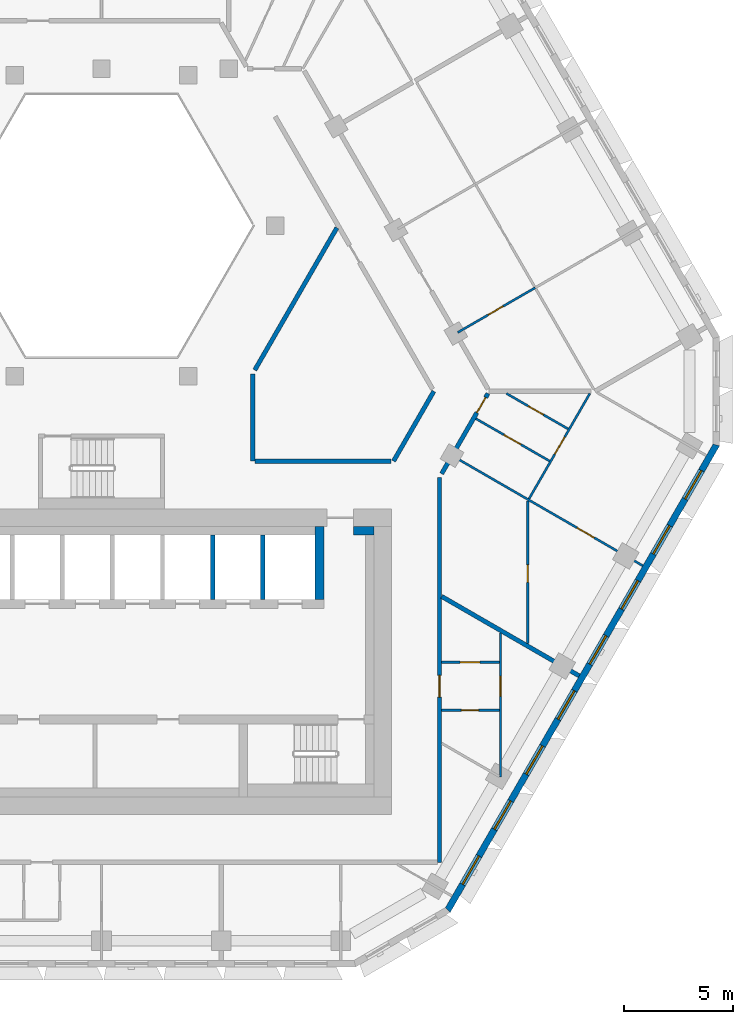
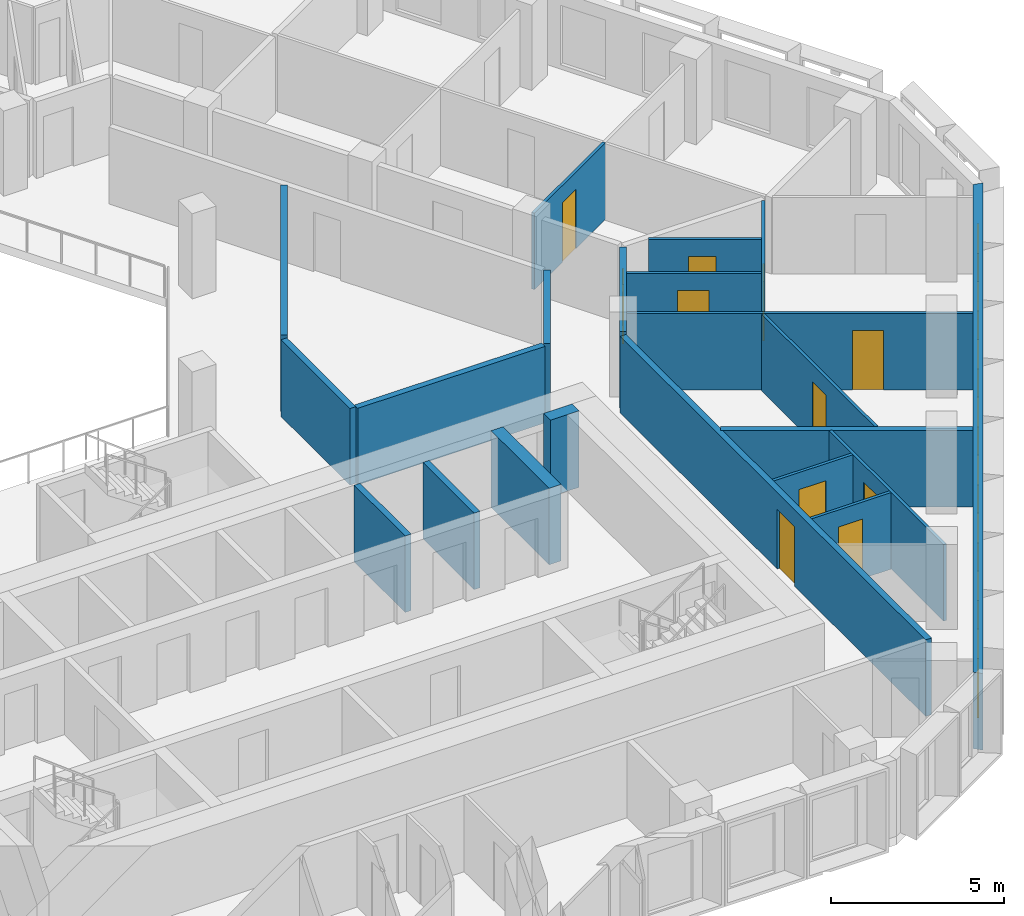
# One storey, part 6 of 17: 21 walls, 11 doors, 8 windows, 19 openings.
"""IFC4 building model written with IfcOpenShell, lengths in metres."""

from ifc_helpers import new_model, si_unit, direction, frame, frame_2d, origin, place, context, subcontext, project, spatial, polyline, rectangle, outline, extrude, material, layer, layer_set, type_object, element, fill, save


model = new_model("IFC4")

# Units and contexts
model_context = context("Model", 3, precision=1e-05, world=origin(), true_north=direction((0.0, 1.0)))
body_context = subcontext(model_context, "Body", "Model", "MODEL_VIEW")
ifc_project = project(units=[si_unit("LENGTHUNIT", "METRE"), si_unit("AREAUNIT", "SQUARE_METRE"), si_unit("VOLUMEUNIT", "CUBIC_METRE"), si_unit("PLANEANGLEUNIT", "RADIAN"), si_unit("MASSUNIT", "GRAM", prefix="KILO")], contexts=[model_context])

# Site, building, storey
site_placement = place(None, origin())
site = spatial("IfcSite", under=ifc_project, at=site_placement, CompositionType="ELEMENT")
building_placement = place(site_placement, origin())
building = spatial("IfcBuilding", under=site, at=building_placement, Name="Beryl Residences", CompositionType="ELEMENT")
storey_placement = place(building_placement, frame((0.0, 0.0, 120.60009765625)))
storey = spatial("IfcBuildingStorey", under=building, at=storey_placement, Name="L36", CompositionType="ELEMENT", Elevation=120.60009765625)

# Wall, openings, windows
ifc_material_1 = material(Name="Composite metal panel with mineral wool insulation")
ifc_layer_1 = layer(ifc_material_1, 0.300048828125)
ifc_layer_set_1 = layer_set([ifc_layer_1], Name="ES1 pale metal composite panel wall 300 mm")
wall_type_1 = type_object("IfcWallType", Name="ES1 pale metal composite panel wall 300 mm", PredefinedType="SOLIDWALL", material=ifc_layer_set_1)
wall_1_placement = place(storey_placement, frame((15.862060546875, -23.425048828125, 0.0), z_axis=(0.0, 0.0, 1.0), x_axis=(0.500017503135, 0.866015298109, 0.0)))
wall_1 = element("IfcWall", 1, at=wall_1_placement, inside=storey, type_object=wall_type_1, Name="ES1 external wall L36 SE", PredefinedType="SOLIDWALL", context=body_context, shape_type="SweptSolid", body=[
    extrude(outline(polyline([(0.0, -0.14990234375), (24.7109375, -0.14990234375), (24.630615234375, 0.14990234375), (0.080322265625, 0.14990234375), (0.0, -0.14990234375)])), origin(), (0.0, 0.0, 1.0), 2.699951171875),
])
opening_1_placement = place(wall_1_placement, frame((1.39990234375, 0.0, 0.14990234375)))
opening_1 = element("IfcOpeningElement", 2, at=opening_1_placement, cuts=wall_1, Name="Opening W1", PredefinedType="OPENING", context=body_context, shape_type="SweptSolid", body=[
    extrude(rectangle(XDim=1.5, YDim=2.10009765625, at=frame_2d((0.75, 1.050048828125))), frame((0.0, 0.159912109375, 0.0), z_axis=(0.0, -1.0, 0.0), x_axis=(1.0, 0.0, 0.0)), (0.0, 0.0, 1.0), 0.320068359375),
])
opening_2_placement = place(wall_1_placement, frame((4.31591796875, 0.0, 0.14990234375)))
opening_2 = element("IfcOpeningElement", 3, at=opening_2_placement, cuts=wall_1, Name="Opening W1", PredefinedType="OPENING", context=body_context, shape_type="SweptSolid", body=[
    extrude(rectangle(XDim=1.5, YDim=2.10009765625, at=frame_2d((0.75, 1.050048828125))), frame((0.0, 0.159912109375, 0.0), z_axis=(0.0, -1.0, 0.0), x_axis=(1.0, 0.0, 0.0)), (0.0, 0.0, 1.0), 0.320068359375),
])
opening_3_placement = place(wall_1_placement, frame((7.23095703125, 0.0, 0.14990234375)))
opening_3 = element("IfcOpeningElement", 4, at=opening_3_placement, cuts=wall_1, Name="Opening W1", PredefinedType="OPENING", context=body_context, shape_type="SweptSolid", body=[
    extrude(rectangle(XDim=1.5, YDim=2.10009765625, at=frame_2d((0.75, 1.050048828125))), frame((0.0, 0.159912109375, 0.0), z_axis=(0.0, -1.0, 0.0), x_axis=(1.0, 0.0, 0.0)), (0.0, 0.0, 1.0), 0.320068359375),
])
opening_4_placement = place(wall_1_placement, frame((10.14697265625, 0.0, 0.14990234375)))
opening_4 = element("IfcOpeningElement", 5, at=opening_4_placement, cuts=wall_1, Name="Opening W1", PredefinedType="OPENING", context=body_context, shape_type="SweptSolid", body=[
    extrude(rectangle(XDim=1.5, YDim=2.10009765625, at=frame_2d((0.75, 1.050048828125))), frame((0.0, 0.159912109375, 0.0), z_axis=(0.0, -1.0, 0.0), x_axis=(1.0, 0.0, 0.0)), (0.0, 0.0, 1.0), 0.320068359375),
])
opening_5_placement = place(wall_1_placement, frame((13.06201171875, 0.0, 0.14990234375)))
opening_5 = element("IfcOpeningElement", 6, at=opening_5_placement, cuts=wall_1, Name="Opening W1", PredefinedType="OPENING", context=body_context, shape_type="SweptSolid", body=[
    extrude(rectangle(XDim=1.5, YDim=2.10009765625, at=frame_2d((0.75, 1.050048828125))), frame((0.0, 0.159912109375, 0.0), z_axis=(0.0, -1.0, 0.0), x_axis=(1.0, 0.0, 0.0)), (0.0, 0.0, 1.0), 0.320068359375),
])
opening_6_placement = place(wall_1_placement, frame((15.97705078125, 0.0, 0.14990234375)))
opening_6 = element("IfcOpeningElement", 7, at=opening_6_placement, cuts=wall_1, Name="Opening W1", PredefinedType="OPENING", context=body_context, shape_type="SweptSolid", body=[
    extrude(rectangle(XDim=1.5, YDim=2.10009765625, at=frame_2d((0.75, 1.050048828125))), frame((0.0, 0.159912109375, 0.0), z_axis=(0.0, -1.0, 0.0), x_axis=(1.0, 0.0, 0.0)), (0.0, 0.0, 1.0), 0.320068359375),
])
opening_7_placement = place(wall_1_placement, frame((18.89306640625, 0.0, 0.14990234375)))
opening_7 = element("IfcOpeningElement", 8, at=opening_7_placement, cuts=wall_1, Name="Opening W1", PredefinedType="OPENING", context=body_context, shape_type="SweptSolid", body=[
    extrude(rectangle(XDim=1.5, YDim=2.10009765625, at=frame_2d((0.75, 1.050048828125))), frame((0.0, 0.159912109375, 0.0), z_axis=(0.0, -1.0, 0.0), x_axis=(1.0, 0.0, 0.0)), (0.0, 0.0, 1.0), 0.320068359375),
])
opening_8_placement = place(wall_1_placement, frame((21.80908203125, 0.0, 0.14990234375)))
opening_8 = element("IfcOpeningElement", 9, at=opening_8_placement, cuts=wall_1, Name="Opening W1", PredefinedType="OPENING", context=body_context, shape_type="SweptSolid", body=[
    extrude(rectangle(XDim=1.5, YDim=2.10009765625, at=frame_2d((0.75, 1.050048828125))), frame((0.0, 0.159912109375, 0.0), z_axis=(0.0, -1.0, 0.0), x_axis=(1.0, 0.0, 0.0)), (0.0, 0.0, 1.0), 0.320068359375),
])
ifc_material_2 = material(Name="Aluminium and clear glass", Category="aluminium")
window_type = type_object("IfcWindowType", Name="W1 cell window 1500 x 2100 mm", PartitioningType="SINGLE_PANEL", PredefinedType="WINDOW", material=ifc_material_2)
window_1_placement = place(opening_1_placement, origin())
window_1 = element("IfcWindow", 10, at=window_1_placement, inside=storey, type_object=window_type, Name="W1 window L36 SE 1", OverallHeight=2.10009765625, OverallWidth=1.5, PartitioningType="SINGLE_PANEL", PredefinedType="WINDOW", context=body_context, shape_type="SweptSolid", body=[
    extrude(rectangle(XDim=1.5, YDim=2.10009765625, at=frame_2d((0.75, 1.050048828125))), frame((0.0, 0.030029296875, 0.0), z_axis=(0.0, -1.0, 0.0), x_axis=(1.0, 0.0, 0.0)), (0.0, 0.0, 1.0), 0.06005859375),
])
fill(opening_1, window_1)
window_2_placement = place(opening_2_placement, origin())
window_2 = element("IfcWindow", 11, at=window_2_placement, inside=storey, type_object=window_type, Name="W1 window L36 SE 2", OverallHeight=2.10009765625, OverallWidth=1.5, PartitioningType="SINGLE_PANEL", PredefinedType="WINDOW", context=body_context, shape_type="SweptSolid", body=[
    extrude(rectangle(XDim=1.5, YDim=2.10009765625, at=frame_2d((0.75, 1.050048828125))), frame((0.0, 0.030029296875, 0.0), z_axis=(0.0, -1.0, 0.0), x_axis=(1.0, 0.0, 0.0)), (0.0, 0.0, 1.0), 0.06005859375),
])
fill(opening_2, window_2)
window_3_placement = place(opening_3_placement, origin())
window_3 = element("IfcWindow", 12, at=window_3_placement, inside=storey, type_object=window_type, Name="W1 window L36 SE 3", OverallHeight=2.10009765625, OverallWidth=1.5, PartitioningType="SINGLE_PANEL", PredefinedType="WINDOW", context=body_context, shape_type="SweptSolid", body=[
    extrude(rectangle(XDim=1.5, YDim=2.10009765625, at=frame_2d((0.75, 1.050048828125))), frame((0.0, 0.030029296875, 0.0), z_axis=(0.0, -1.0, 0.0), x_axis=(1.0, 0.0, 0.0)), (0.0, 0.0, 1.0), 0.06005859375),
])
fill(opening_3, window_3)
window_4_placement = place(opening_4_placement, origin())
window_4 = element("IfcWindow", 13, at=window_4_placement, inside=storey, type_object=window_type, Name="W1 window L36 SE 4", OverallHeight=2.10009765625, OverallWidth=1.5, PartitioningType="SINGLE_PANEL", PredefinedType="WINDOW", context=body_context, shape_type="SweptSolid", body=[
    extrude(rectangle(XDim=1.5, YDim=2.10009765625, at=frame_2d((0.75, 1.050048828125))), frame((0.0, 0.030029296875, 0.0), z_axis=(0.0, -1.0, 0.0), x_axis=(1.0, 0.0, 0.0)), (0.0, 0.0, 1.0), 0.06005859375),
])
fill(opening_4, window_4)
window_5_placement = place(opening_5_placement, origin())
window_5 = element("IfcWindow", 14, at=window_5_placement, inside=storey, type_object=window_type, Name="W1 window L36 SE 5", OverallHeight=2.10009765625, OverallWidth=1.5, PartitioningType="SINGLE_PANEL", PredefinedType="WINDOW", context=body_context, shape_type="SweptSolid", body=[
    extrude(rectangle(XDim=1.5, YDim=2.10009765625, at=frame_2d((0.75, 1.050048828125))), frame((0.0, 0.030029296875, 0.0), z_axis=(0.0, -1.0, 0.0), x_axis=(1.0, 0.0, 0.0)), (0.0, 0.0, 1.0), 0.06005859375),
])
fill(opening_5, window_5)
window_6_placement = place(opening_6_placement, origin())
window_6 = element("IfcWindow", 15, at=window_6_placement, inside=storey, type_object=window_type, Name="W1 window L36 SE 6", OverallHeight=2.10009765625, OverallWidth=1.5, PartitioningType="SINGLE_PANEL", PredefinedType="WINDOW", context=body_context, shape_type="SweptSolid", body=[
    extrude(rectangle(XDim=1.5, YDim=2.10009765625, at=frame_2d((0.75, 1.050048828125))), frame((0.0, 0.030029296875, 0.0), z_axis=(0.0, -1.0, 0.0), x_axis=(1.0, 0.0, 0.0)), (0.0, 0.0, 1.0), 0.06005859375),
])
fill(opening_6, window_6)
window_7_placement = place(opening_7_placement, origin())
window_7 = element("IfcWindow", 16, at=window_7_placement, inside=storey, type_object=window_type, Name="W1 window L36 SE 7", OverallHeight=2.10009765625, OverallWidth=1.5, PartitioningType="SINGLE_PANEL", PredefinedType="WINDOW", context=body_context, shape_type="SweptSolid", body=[
    extrude(rectangle(XDim=1.5, YDim=2.10009765625, at=frame_2d((0.75, 1.050048828125))), frame((0.0, 0.030029296875, 0.0), z_axis=(0.0, -1.0, 0.0), x_axis=(1.0, 0.0, 0.0)), (0.0, 0.0, 1.0), 0.06005859375),
])
fill(opening_7, window_7)
window_8_placement = place(opening_8_placement, origin())
window_8 = element("IfcWindow", 17, at=window_8_placement, inside=storey, type_object=window_type, Name="W1 window L36 SE 8", OverallHeight=2.10009765625, OverallWidth=1.5, PartitioningType="SINGLE_PANEL", PredefinedType="WINDOW", context=body_context, shape_type="SweptSolid", body=[
    extrude(rectangle(XDim=1.5, YDim=2.10009765625, at=frame_2d((0.75, 1.050048828125))), frame((0.0, 0.030029296875, 0.0), z_axis=(0.0, -1.0, 0.0), x_axis=(1.0, 0.0, 0.0)), (0.0, 0.0, 1.0), 0.06005859375),
])
fill(opening_8, window_8)

# Wall, opening, door
ifc_material_3 = material(Name="Gypsum board partition on steel studs", Category="steel")
ifc_layer_2 = layer(ifc_material_3, 0.10009765625)
ifc_layer_set_2 = layer_set([ifc_layer_2], Name="PT1 partition 100 mm gypsum board on steel studs")
wall_type_2 = type_object("IfcWallType", Name="PT1 partition 100 mm gypsum board on steel studs", PredefinedType="PARTITIONING", material=ifc_layer_set_2)
wall_2_placement = place(storey_placement, frame((16.1650390625, -2.60107421875, 0.0), z_axis=(0.0, 0.0, 1.0), x_axis=(0.866016855193, -0.500014806302, 0.0)))
wall_2 = element("IfcWall", 18, at=wall_2_placement, inside=storey, type_object=wall_type_2, Name="Wall PT1 L36 017", PredefinedType="PARTITIONING", context=body_context, shape_type="SweptSolid", body=[
    extrude(rectangle(XDim=9.999755859375, YDim=0.10009765625, at=frame_2d((5.0, 0.0))), origin(), (0.0, 0.0, 1.0), 2.699951171875),
])
opening_9_placement = place(wall_2_placement, frame((6.52392578125, 0.0, 0.0)))
opening_9 = element("IfcOpeningElement", 19, at=opening_9_placement, cuts=wall_2, Name="Opening D1046", PredefinedType="OPENING", context=body_context, shape_type="SweptSolid", body=[
    extrude(rectangle(XDim=0.89990234375, YDim=2.10009765625, at=frame_2d((0.449951171875, 1.050048828125))), frame((0.0, 0.06005859375, 0.0), z_axis=(0.0, -1.0, 0.0), x_axis=(1.0, 0.0, 0.0)), (0.0, 0.0, 1.0), 0.1201171875),
])
ifc_material_4 = material(Name="Timber door leaf", Category="wood")
door_type_1 = type_object("IfcDoorType", Name="D2 room door 900 x 2100 mm", OperationType="SINGLE_SWING_LEFT", PredefinedType="DOOR", material=ifc_material_4)
door_1_placement = place(opening_9_placement, origin())
door_1 = element("IfcDoor", 20, at=door_1_placement, inside=storey, type_object=door_type_1, Name="Door D1046 L36 001", OperationType="SINGLE_SWING_RIGHT", OverallHeight=2.10009765625, OverallWidth=0.89990234375, PredefinedType="DOOR", context=body_context, shape_type="SweptSolid", body=[
    extrude(rectangle(XDim=0.89990234375, YDim=2.10009765625, at=frame_2d((0.449951171875, 1.050048828125))), frame((0.0, 0.02490234375, 0.0), z_axis=(0.0, -1.0, 0.0), x_axis=(1.0, 0.0, 0.0)), (0.0, 0.0, 1.0), 0.050048828125),
])
fill(opening_9, door_1)

wall_3_placement = place(storey_placement, frame((17.1708984375, -0.85693359375, 0.0), z_axis=(0.0, 0.0, 1.0), x_axis=(0.867173455867, -0.49800622229, 0.0)))
wall_3 = element("IfcWall", 21, at=wall_3_placement, inside=storey, type_object=wall_type_2, Name="Wall PT1 L36 018", PredefinedType="PARTITIONING", context=body_context, shape_type="SweptSolid", body=[
    extrude(rectangle(XDim=3.89794921875, YDim=0.10009765625, at=frame_2d((1.948974609375, 0.0))), origin(), (0.0, 0.0, 1.0), 2.699951171875),
])
opening_10_placement = place(wall_3_placement, frame((1.47412109375, 0.0, 0.0)))
opening_10 = element("IfcOpeningElement", 22, at=opening_10_placement, cuts=wall_3, Name="Opening D1043", PredefinedType="OPENING", context=body_context, shape_type="SweptSolid", body=[
    extrude(rectangle(XDim=0.89990234375, YDim=2.10009765625, at=frame_2d((0.449951171875, 1.050048828125))), frame((0.0, 0.06005859375, 0.0), z_axis=(0.0, -1.0, 0.0), x_axis=(1.0, 0.0, 0.0)), (0.0, 0.0, 1.0), 0.1201171875),
])
door_2_placement = place(opening_10_placement, origin())
door_2 = element("IfcDoor", 23, at=door_2_placement, inside=storey, type_object=door_type_1, Name="Door D1043 L36 001", OperationType="SINGLE_SWING_LEFT", OverallHeight=2.10009765625, OverallWidth=0.89990234375, PredefinedType="DOOR", context=body_context, shape_type="SweptSolid", body=[
    extrude(rectangle(XDim=0.89990234375, YDim=2.10009765625, at=frame_2d((0.449951171875, 1.050048828125))), frame((0.0, 0.02490234375, 0.0), z_axis=(0.0, -1.0, 0.0), x_axis=(1.0, 0.0, 0.0)), (0.0, 0.0, 1.0), 0.050048828125),
])
fill(opening_10, door_2)

wall_4_placement = place(storey_placement, frame((18.568115234375, 0.301025390625, 0.0), z_axis=(0.0, 0.0, 1.0), x_axis=(0.867155675456, -0.49803718187, 0.0)))
wall_4 = element("IfcWall", 24, at=wall_4_placement, inside=storey, type_object=wall_type_2, Name="Wall PT1 L36 019", PredefinedType="PARTITIONING", context=body_context, shape_type="SweptSolid", body=[
    extrude(rectangle(XDim=3.266845703125, YDim=0.10009765625, at=frame_2d((1.63330078125, 0.0))), origin(), (0.0, 0.0, 1.0), 2.699951171875),
])
opening_11_placement = place(wall_4_placement, frame((1.157958984375, 0.0, 0.0)))
opening_11 = element("IfcOpeningElement", 25, at=opening_11_placement, cuts=wall_4, Name="Opening D1044", PredefinedType="OPENING", context=body_context, shape_type="SweptSolid", body=[
    extrude(rectangle(XDim=0.800048828125, YDim=2.10009765625, at=frame_2d((0.39990234375, 1.050048828125))), frame((0.0, 0.06005859375, 0.0), z_axis=(0.0, -1.0, 0.0), x_axis=(1.0, 0.0, 0.0)), (0.0, 0.0, 1.0), 0.1201171875),
])
ifc_material_5 = material(Name="Timber door leaf", Category="wood")
door_type_2 = type_object("IfcDoorType", Name="D3 bathroom door 800 x 2100 mm", OperationType="SINGLE_SWING_LEFT", PredefinedType="DOOR", material=ifc_material_5)
door_3_placement = place(opening_11_placement, origin())
door_3 = element("IfcDoor", 26, at=door_3_placement, inside=storey, type_object=door_type_2, Name="Door D1044 L36 001", OperationType="SINGLE_SWING_RIGHT", OverallHeight=2.10009765625, OverallWidth=0.800048828125, PredefinedType="DOOR", context=body_context, shape_type="SweptSolid", body=[
    extrude(rectangle(XDim=0.800048828125, YDim=2.10009765625, at=frame_2d((0.39990234375, 1.050048828125))), frame((0.0, 0.02490234375, 0.0), z_axis=(0.0, -1.0, 0.0), x_axis=(1.0, 0.0, 0.0)), (0.0, 0.0, 1.0), 0.050048828125),
])
fill(opening_11, door_3)

wall_5_placement = place(storey_placement, frame((15.60009765625, -12.02490234375, 0.0), z_axis=(0.0, 0.0, 1.0), x_axis=(1.0, 0.0, 0.0)))
wall_5 = element("IfcWall", 27, at=wall_5_placement, inside=storey, type_object=wall_type_2, Name="Wall PT1 L36 022", PredefinedType="PARTITIONING", context=body_context, shape_type="SweptSolid", body=[
    extrude(rectangle(XDim=2.64990234375, YDim=0.10009765625, at=frame_2d((1.324951171875, 0.0))), origin(), (0.0, 0.0, 1.0), 2.699951171875),
])
opening_12_placement = place(wall_5_placement, frame((0.85009765625, 0.0, 0.0)))
opening_12 = element("IfcOpeningElement", 28, at=opening_12_placement, cuts=wall_5, Name="Opening D1038", PredefinedType="OPENING", context=body_context, shape_type="SweptSolid", body=[
    extrude(rectangle(XDim=0.89990234375, YDim=2.10009765625, at=frame_2d((0.449951171875, 1.050048828125))), frame((0.0, 0.06005859375, 0.0), z_axis=(0.0, -1.0, 0.0), x_axis=(1.0, 0.0, 0.0)), (0.0, 0.0, 1.0), 0.1201171875),
])
door_4_placement = place(opening_12_placement, origin())
door_4 = element("IfcDoor", 29, at=door_4_placement, inside=storey, type_object=door_type_1, Name="Door D1038 L36 001", OperationType="SINGLE_SWING_RIGHT", OverallHeight=2.10009765625, OverallWidth=0.89990234375, PredefinedType="DOOR", context=body_context, shape_type="SweptSolid", body=[
    extrude(rectangle(XDim=0.89990234375, YDim=2.10009765625, at=frame_2d((0.449951171875, 1.050048828125))), frame((0.0, 0.02490234375, 0.0), z_axis=(0.0, -1.0, 0.0), x_axis=(1.0, 0.0, 0.0)), (0.0, 0.0, 1.0), 0.050048828125),
])
fill(opening_12, door_4)

wall_6_placement = place(storey_placement, frame((15.60009765625, -14.22509765625, 0.0), z_axis=(0.0, 0.0, 1.0), x_axis=(1.0, 0.0, 0.0)))
wall_6 = element("IfcWall", 30, at=wall_6_placement, inside=storey, type_object=wall_type_2, Name="Wall PT1 L36 023", PredefinedType="PARTITIONING", context=body_context, shape_type="SweptSolid", body=[
    extrude(rectangle(XDim=2.64990234375, YDim=0.10009765625, at=frame_2d((1.324951171875, 0.0))), origin(), (0.0, 0.0, 1.0), 2.699951171875),
])
opening_13_placement = place(wall_6_placement, frame((0.89990234375, 0.0, 0.0)))
opening_13 = element("IfcOpeningElement", 31, at=opening_13_placement, cuts=wall_6, Name="Opening D1037", PredefinedType="OPENING", context=body_context, shape_type="SweptSolid", body=[
    extrude(rectangle(XDim=0.800048828125, YDim=2.10009765625, at=frame_2d((0.39990234375, 1.050048828125))), frame((0.0, 0.06005859375, 0.0), z_axis=(0.0, -1.0, 0.0), x_axis=(1.0, 0.0, 0.0)), (0.0, 0.0, 1.0), 0.1201171875),
])
door_5_placement = place(opening_13_placement, origin())
door_5 = element("IfcDoor", 32, at=door_5_placement, inside=storey, type_object=door_type_2, Name="Door D1037 L36 001", OperationType="SINGLE_SWING_LEFT", OverallHeight=2.10009765625, OverallWidth=0.800048828125, PredefinedType="DOOR", context=body_context, shape_type="SweptSolid", body=[
    extrude(rectangle(XDim=0.800048828125, YDim=2.10009765625, at=frame_2d((0.39990234375, 1.050048828125))), frame((0.0, 0.02490234375, 0.0), z_axis=(0.0, -1.0, 0.0), x_axis=(1.0, 0.0, 0.0)), (0.0, 0.0, 1.0), 0.050048828125),
])
fill(opening_13, door_5)

wall_7_placement = place(storey_placement, frame((19.60791015625, -4.531005859375, 0.0), z_axis=(0.0, 0.0, 1.0), x_axis=(0.500035555316, 0.86600487494, 0.0)))
wall_7 = element("IfcWall", 33, at=wall_7_placement, inside=storey, type_object=wall_type_2, Name="Wall PT1 L36 031", PredefinedType="PARTITIONING", context=body_context, shape_type="SweptSolid", body=[
    extrude(rectangle(XDim=5.57958984375, YDim=0.10009765625, at=frame_2d((2.789794921875, 0.0))), origin(), (0.0, 0.0, 1.0), 2.699951171875),
])
opening_14_placement = place(wall_7_placement, frame((2.3720703125, 0.0, 0.0)))
opening_14 = element("IfcOpeningElement", 34, at=opening_14_placement, cuts=wall_7, Name="Opening D1045", PredefinedType="OPENING", context=body_context, shape_type="SweptSolid", body=[
    extrude(rectangle(XDim=0.89990234375, YDim=2.10009765625, at=frame_2d((0.449951171875, 1.050048828125))), frame((0.0, 0.06005859375, 0.0), z_axis=(0.0, -1.0, 0.0), x_axis=(1.0, 0.0, 0.0)), (0.0, 0.0, 1.0), 0.1201171875),
])
door_6_placement = place(opening_14_placement, origin())
door_6 = element("IfcDoor", 35, at=door_6_placement, inside=storey, type_object=door_type_1, Name="Door D1045 L36 001", OperationType="SINGLE_SWING_LEFT", OverallHeight=2.10009765625, OverallWidth=0.89990234375, PredefinedType="DOOR", context=body_context, shape_type="SweptSolid", body=[
    extrude(rectangle(XDim=0.89990234375, YDim=2.10009765625, at=frame_2d((0.449951171875, 1.050048828125))), frame((0.0, 0.02490234375, 0.0), z_axis=(0.0, -1.0, 0.0), x_axis=(1.0, 0.0, 0.0)), (0.0, 0.0, 1.0), 0.050048828125),
])
fill(opening_14, door_6)

wall_8_placement = place(storey_placement, frame((18.300048828125, -17.300048828125, 0.0), z_axis=(0.0, 0.0, 1.0), x_axis=(0.0, 1.0, 0.0)))
wall_8 = element("IfcWall", 36, at=wall_8_placement, inside=storey, type_object=wall_type_2, Name="Wall PT1 L36 042", PredefinedType="PARTITIONING", context=body_context, shape_type="SweptSolid", body=[
    extrude(rectangle(XDim=6.6181640625, YDim=0.10009765625, at=frame_2d((3.30908203125, 0.0))), origin(), (0.0, 0.0, 1.0), 2.699951171875),
])
opening_15_placement = place(wall_8_placement, frame((3.72509765625, 0.0, 0.0)))
opening_15 = element("IfcOpeningElement", 37, at=opening_15_placement, cuts=wall_8, Name="Opening D1039", PredefinedType="OPENING", context=body_context, shape_type="SweptSolid", body=[
    extrude(rectangle(XDim=0.89990234375, YDim=2.10009765625, at=frame_2d((0.449951171875, 1.050048828125))), frame((0.0, 0.06005859375, 0.0), z_axis=(0.0, -1.0, 0.0), x_axis=(1.0, 0.0, 0.0)), (0.0, 0.0, 1.0), 0.1201171875),
])
door_7_placement = place(opening_15_placement, origin())
door_7 = element("IfcDoor", 38, at=door_7_placement, inside=storey, type_object=door_type_1, Name="Door D1039 L36 001", OperationType="SINGLE_SWING_LEFT", OverallHeight=2.10009765625, OverallWidth=0.89990234375, PredefinedType="DOOR", context=body_context, shape_type="SweptSolid", body=[
    extrude(rectangle(XDim=0.89990234375, YDim=2.10009765625, at=frame_2d((0.449951171875, 1.050048828125))), frame((0.0, 0.02490234375, 0.0), z_axis=(0.0, -1.0, 0.0), x_axis=(1.0, 0.0, 0.0)), (0.0, 0.0, 1.0), 0.050048828125),
])
fill(opening_15, door_7)

wall_9_placement = place(storey_placement, frame((19.547119140625, -11.1708984375, 0.0), z_axis=(0.0, 0.0, 1.0), x_axis=(0.0, 1.0, 0.0)))
wall_9 = element("IfcWall", 39, at=wall_9_placement, inside=storey, type_object=wall_type_2, Name="Wall PT1 L36 043", PredefinedType="PARTITIONING", context=body_context, shape_type="SweptSolid", body=[
    extrude(rectangle(XDim=6.533935546875, YDim=0.10009765625, at=frame_2d((3.26708984375, 0.0))), origin(), (0.0, 0.0, 1.0), 2.699951171875),
])
opening_16_placement = place(wall_9_placement, frame((2.81005859375, 0.0, 0.0)))
opening_16 = element("IfcOpeningElement", 40, at=opening_16_placement, cuts=wall_9, Name="Opening D1048", PredefinedType="OPENING", context=body_context, shape_type="SweptSolid", body=[
    extrude(rectangle(XDim=0.800048828125, YDim=2.10009765625, at=frame_2d((0.39990234375, 1.050048828125))), frame((0.0, 0.06005859375, 0.0), z_axis=(0.0, -1.0, 0.0), x_axis=(1.0, 0.0, 0.0)), (0.0, 0.0, 1.0), 0.1201171875),
])
door_8_placement = place(opening_16_placement, origin())
door_8 = element("IfcDoor", 41, at=door_8_placement, inside=storey, type_object=door_type_2, Name="Door D1048 L36 001", OperationType="SINGLE_SWING_RIGHT", OverallHeight=2.10009765625, OverallWidth=0.800048828125, PredefinedType="DOOR", context=body_context, shape_type="SweptSolid", body=[
    extrude(rectangle(XDim=0.800048828125, YDim=2.10009765625, at=frame_2d((0.39990234375, 1.050048828125))), frame((0.0, 0.02490234375, 0.0), z_axis=(0.0, -1.0, 0.0), x_axis=(1.0, 0.0, 0.0)), (0.0, 0.0, 1.0), 0.050048828125),
])
fill(opening_16, door_8)

wall_10_placement = place(storey_placement, frame((16.339111328125, 3.10009765625, 0.0), z_axis=(0.0, 0.0, 1.0), x_axis=(0.866050731258, 0.499956128963, 0.0)))
wall_10 = element("IfcWall", 42, at=wall_10_placement, inside=storey, type_object=wall_type_2, Name="Wall PT1 L36 050", PredefinedType="PARTITIONING", context=body_context, shape_type="SweptSolid", body=[
    extrude(rectangle(XDim=4.099853515625, YDim=0.10009765625, at=frame_2d((2.0498046875, 0.0))), origin(), (0.0, 0.0, 1.0), 2.699951171875),
])
opening_17_placement = place(wall_10_placement, frame((1.60009765625, 0.0, 0.0)))
opening_17 = element("IfcOpeningElement", 43, at=opening_17_placement, cuts=wall_10, Name="Opening D1051", PredefinedType="OPENING", context=body_context, shape_type="SweptSolid", body=[
    extrude(rectangle(XDim=0.800048828125, YDim=2.10009765625, at=frame_2d((0.39990234375, 1.050048828125))), frame((0.0, 0.06005859375, 0.0), z_axis=(0.0, -1.0, 0.0), x_axis=(1.0, 0.0, 0.0)), (0.0, 0.0, 1.0), 0.1201171875),
])
door_9_placement = place(opening_17_placement, origin())
door_9 = element("IfcDoor", 44, at=door_9_placement, inside=storey, type_object=door_type_2, Name="Door D1051 L36 001", OperationType="SINGLE_SWING_LEFT", OverallHeight=2.10009765625, OverallWidth=0.800048828125, PredefinedType="DOOR", context=body_context, shape_type="SweptSolid", body=[
    extrude(rectangle(XDim=0.800048828125, YDim=2.10009765625, at=frame_2d((0.39990234375, 1.050048828125))), frame((0.0, 0.02490234375, 0.0), z_axis=(0.0, -1.0, 0.0), x_axis=(1.0, 0.0, 0.0)), (0.0, 0.0, 1.0), 0.050048828125),
])
fill(opening_17, door_9)

# Walls
ifc_material_6 = material(Name="Concrete masonry", Category="masonry")
ifc_layer_3 = layer(ifc_material_6, 0.39990234375)
ifc_layer_set_3 = layer_set([ifc_layer_3], Name="PT13-400 lobby wall 400 mm")
wall_type_3 = type_object("IfcWallType", Name="PT13-400 lobby wall 400 mm", PredefinedType="PARTITIONING", material=ifc_layer_set_3)
wall_11_placement = place(storey_placement, frame((11.550048828125, -6.0, 0.0), z_axis=(0.0, 0.0, 1.0), x_axis=(1.0, 0.0, 0.0)))
element("IfcWall", 45, at=wall_11_placement, inside=storey, type_object=wall_type_3, Name="Lobby wall 22", PredefinedType="PARTITIONING", context=body_context, shape_type="SweptSolid", body=[
    extrude(rectangle(XDim=0.949951171875, YDim=0.39990234375, at=frame_2d((0.47509765625, 0.0))), origin(), (0.0, 0.0, 1.0), 2.699951171875),
])
ifc_material_7 = material(Name="Acoustic double stud gypsum board wall")
ifc_layer_4 = layer(ifc_material_7, 0.199951171875)
ifc_layer_set_4 = layer_set([ifc_layer_4], Name="PT3 party wall 200 mm acoustic double stud")
wall_type_4 = type_object("IfcWallType", Name="PT3 party wall 200 mm acoustic double stud", PredefinedType="PARTITIONING", material=ifc_layer_set_4)
wall_12_placement = place(storey_placement, frame((15.60009765625, -9.008056640625, 0.0), z_axis=(0.0, 0.0, 1.0), x_axis=(0.866034366408, -0.499984475959, 0.0)))
element("IfcWall", 46, at=wall_12_placement, inside=storey, type_object=wall_type_4, Name="Wall PT3 L36 004", PredefinedType="PARTITIONING", context=body_context, shape_type="SweptSolid", body=[
    extrude(rectangle(XDim=7.285888671875, YDim=0.199951171875, at=frame_2d((3.64306640625, 0.0))), origin(), (0.0, 0.0, 1.0), 2.699951171875),
])
ifc_material_8 = material(Name="Double stud gypsum board wall")
ifc_layer_5 = layer(ifc_material_8, 0.199951171875)
ifc_layer_set_5 = layer_set([ifc_layer_5], Name="PT4 corridor wall 200 mm double stud")
wall_type_5 = type_object("IfcWallType", Name="PT4 corridor wall 200 mm double stud", PredefinedType="PARTITIONING", material=ifc_layer_set_5)
wall_13_placement = place(storey_placement, frame((7.028076171875, -2.800048828125, 0.0), z_axis=(0.0, 0.0, 1.0), x_axis=(1.0, 0.0, 0.0)))
element("IfcWall", 47, at=wall_13_placement, inside=storey, type_object=wall_type_5, Name="Wall PT4 L36 013", PredefinedType="PARTITIONING", context=body_context, shape_type="SweptSolid", body=[
    extrude(rectangle(XDim=6.25, YDim=0.199951171875, at=frame_2d((3.125, 0.0))), origin(), (0.0, 0.0, 1.0), 2.699951171875),
])
wall_14_placement = place(storey_placement, frame((7.028076171875, 1.373046875, 0.0), z_axis=(0.0, 0.0, 1.0), x_axis=(0.499954271211, 0.866051803703, 0.0)))
element("IfcWall", 48, at=wall_14_placement, inside=storey, type_object=wall_type_5, Name="Wall PT4 L36 017", PredefinedType="PARTITIONING", context=body_context, shape_type="SweptSolid", body=[
    extrude(rectangle(XDim=7.536376953125, YDim=0.199951171875, at=frame_2d((3.76806640625, 0.0))), origin(), (0.0, 0.0, 1.0), 2.699951171875),
])
wall_15_placement = place(storey_placement, frame((13.39404296875, -2.800048828125, 0.0), z_axis=(0.0, 0.0, 1.0), x_axis=(0.499968324138, 0.866043691079, 0.0)))
element("IfcWall", 49, at=wall_15_placement, inside=storey, type_object=wall_type_5, Name="Wall PT4 L36 018", PredefinedType="PARTITIONING", context=body_context, shape_type="SweptSolid", body=[
    extrude(rectangle(XDim=3.696044921875, YDim=0.199951171875, at=frame_2d((1.84814453125, 0.0))), origin(), (0.0, 0.0, 1.0), 2.699951171875),
])

# Wall, opening, door
wall_16_placement = place(storey_placement, frame((15.60009765625, -3.37890625, 0.0), z_axis=(0.0, 0.0, 1.0), x_axis=(0.499896543382, 0.866085126252, 0.0)))
wall_16 = element("IfcWall", 50, at=wall_16_placement, inside=storey, type_object=wall_type_5, Name="Wall PT4 L36 019", PredefinedType="PARTITIONING", context=body_context, shape_type="SweptSolid", body=[
    extrude(rectangle(XDim=4.2490234375, YDim=0.199951171875, at=frame_2d((2.12451171875, 0.0))), origin(), (0.0, 0.0, 1.0), 2.699951171875),
])
opening_18_placement = place(wall_16_placement, frame((3.23193359375, 0.0, 0.0)))
opening_18 = element("IfcOpeningElement", 51, at=opening_18_placement, cuts=wall_16, Name="Opening D1042", PredefinedType="OPENING", context=body_context, shape_type="SweptSolid", body=[
    extrude(rectangle(XDim=0.800048828125, YDim=2.10009765625, at=frame_2d((0.39990234375, 1.050048828125))), frame((0.0, 0.10986328125, 0.0), z_axis=(0.0, -1.0, 0.0), x_axis=(1.0, 0.0, 0.0)), (0.0, 0.0, 1.0), 0.219970703125),
])
ifc_material_9 = material(Name="Timber door leaf", Category="wood")
door_type_3 = type_object("IfcDoorType", Name="D12 flat entrance door 800 x 2100 mm", OperationType="SINGLE_SWING_LEFT", PredefinedType="DOOR", material=ifc_material_9)
door_10_placement = place(opening_18_placement, origin())
door_10 = element("IfcDoor", 52, at=door_10_placement, inside=storey, type_object=door_type_3, Name="Door D1042 L36 001", OperationType="SINGLE_SWING_RIGHT", OverallHeight=2.10009765625, OverallWidth=0.800048828125, PredefinedType="DOOR", context=body_context, shape_type="SweptSolid", body=[
    extrude(rectangle(XDim=0.800048828125, YDim=2.10009765625, at=frame_2d((0.39990234375, 1.050048828125))), frame((0.0, 0.02490234375, 0.0), z_axis=(0.0, -1.0, 0.0), x_axis=(1.0, 0.0, 0.0)), (0.0, 0.0, 1.0), 0.050048828125),
])
fill(opening_18, door_10)

# Wall
wall_17_placement = place(storey_placement, frame((6.927978515625, -2.800048828125, 0.0), z_axis=(0.0, 0.0, 1.0), x_axis=(0.0, 1.0, 0.0)))
element("IfcWall", 53, at=wall_17_placement, inside=storey, type_object=wall_type_5, Name="Wall PT4 L36 023", PredefinedType="PARTITIONING", context=body_context, shape_type="SweptSolid", body=[
    extrude(rectangle(XDim=4.0, YDim=0.199951171875, at=frame_2d((2.0, 0.0))), origin(), (0.0, 0.0, 1.0), 2.699951171875),
])

# Wall, opening, door
wall_18_placement = place(storey_placement, frame((15.5, -21.199951171875, 0.0), z_axis=(0.0, 0.0, 1.0), x_axis=(0.0, 1.0, 0.0)))
wall_18 = element("IfcWall", 54, at=wall_18_placement, inside=storey, type_object=wall_type_5, Name="Wall PT4 L36 024", PredefinedType="PARTITIONING", context=body_context, shape_type="SweptSolid", body=[
    extrude(rectangle(XDim=17.64794921875, YDim=0.199951171875, at=frame_2d((8.823974609375, 0.0))), origin(), (0.0, 0.0, 1.0), 2.699951171875),
])
opening_19_placement = place(wall_18_placement, frame((7.574951171875, 0.0, 0.0)))
opening_19 = element("IfcOpeningElement", 55, at=opening_19_placement, cuts=wall_18, Name="Opening D1036", PredefinedType="OPENING", context=body_context, shape_type="SweptSolid", body=[
    extrude(rectangle(XDim=1.0, YDim=2.10009765625, at=frame_2d((0.5, 1.050048828125))), frame((0.0, 0.10986328125, 0.0), z_axis=(0.0, -1.0, 0.0), x_axis=(1.0, 0.0, 0.0)), (0.0, 0.0, 1.0), 0.219970703125),
])
ifc_material_10 = material(Name="Timber door leaf", Category="wood")
door_type_4 = type_object("IfcDoorType", Name="D1 flat entrance door 1000 x 2100 mm", OperationType="SINGLE_SWING_LEFT", PredefinedType="DOOR", material=ifc_material_10)
door_11_placement = place(opening_19_placement, origin())
door_11 = element("IfcDoor", 56, at=door_11_placement, inside=storey, type_object=door_type_4, Name="Door D1036 L36 001", OperationType="SINGLE_SWING_RIGHT", OverallHeight=2.10009765625, OverallWidth=1.0, PredefinedType="DOOR", context=body_context, shape_type="SweptSolid", body=[
    extrude(rectangle(XDim=1.0, YDim=2.10009765625, at=frame_2d((0.5, 1.050048828125))), frame((0.0, 0.02490234375, 0.0), z_axis=(0.0, -1.0, 0.0), x_axis=(1.0, 0.0, 0.0)), (0.0, 0.0, 1.0), 0.050048828125),
])
fill(opening_19, door_11)

# Walls
ifc_material_11 = material(Name="Concrete C40/50", Category="concrete")
ifc_layer_6 = layer(ifc_material_11, 0.199951171875)
ifc_layer_set_6 = layer_set([ifc_layer_6], Name="PT6 lift shaft wall 200 mm reinforced concrete C40/50")
wall_type_6 = type_object("IfcWallType", Name="PT6 lift shaft wall 200 mm reinforced concrete C40/50", PredefinedType="SOLIDWALL", material=ifc_layer_set_6)
for number, where, z_axis, x_axis, name in (
    (57, (5.10009765625, -9.14990234375, 0.0), (0.0, 0.0, 1.0), (0.0, 1.0, 0.0), "Lift shaft wall 19"),
    (58, (7.39990234375, -9.14990234375, 0.0), (0.0, 0.0, 1.0), (0.0, 1.0, 0.0), "Lift shaft wall 21"),
):
    element("IfcWall", number, at=place(storey_placement, frame(where, z_axis=z_axis, x_axis=x_axis)), inside=storey, type_object=wall_type_6, Name=name, PredefinedType="SOLIDWALL", context=body_context, shape_type="SweptSolid", body=[
        extrude(rectangle(XDim=2.949951171875, YDim=0.199951171875, at=frame_2d((1.47509765625, 0.0))), origin(), (0.0, 0.0, 1.0), 2.699951171875),
    ])
ifc_material_12 = material(Name="Concrete C60/75", Category="concrete")
ifc_layer_7 = layer(ifc_material_12, 0.39990234375)
ifc_layer_set_7 = layer_set([ifc_layer_7], Name="SW8 core internal wall 400 mm C60/75")
wall_type_7 = type_object("IfcWallType", Name="SW8 core internal wall 400 mm C60/75", PredefinedType="SHEAR", material=ifc_layer_set_7)
wall_19_placement = place(storey_placement, frame((10.0, -9.14990234375, 0.0), z_axis=(0.0, 0.0, 1.0), x_axis=(0.0, 1.0, 0.0)))
element("IfcWall", 59, at=wall_19_placement, inside=storey, type_object=wall_type_7, Name="Core wall XN2 L36", PredefinedType="SHEAR", context=body_context, shape_type="SweptSolid", body=[
    extrude(rectangle(XDim=3.349853515625, YDim=0.39990234375, at=frame_2d((1.6748046875, 0.0))), origin(), (0.0, 0.0, 1.0), 2.699951171875),
])

save(model, "model.ifc")
